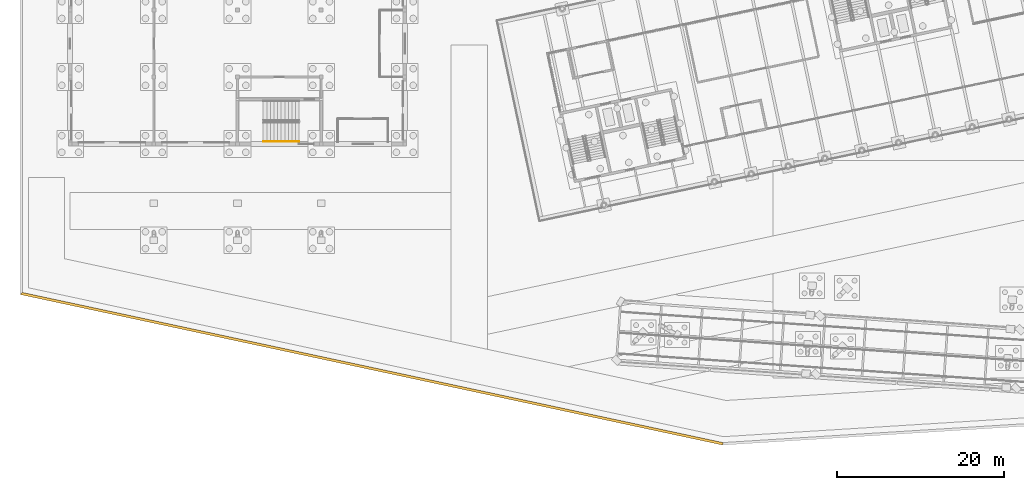
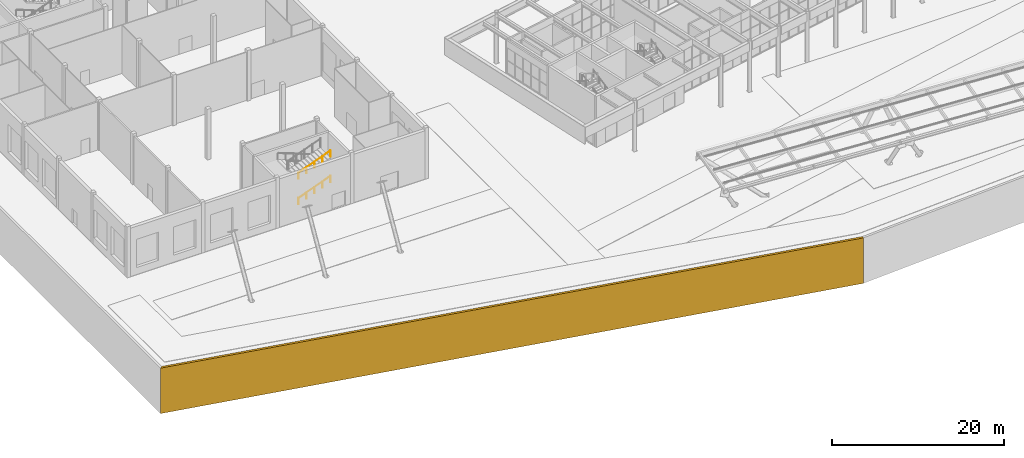
# One storey, part 201 of 239: 2 railings, 1 covering.
"""IFC4 building model written with IfcOpenShell, lengths in metres."""

from ifc_helpers import new_model, si_unit, direction, frame, origin, origin_2d, place, context, subcontext, project, spatial, polyline, circle, outline, extrude, material, layer, layer_set, type_object, element, save


model = new_model("IFC4")

# Units and contexts
model_context = context("Model", 3, precision=1e-05, world=origin(), true_north=direction((0.0, 1.0)))
body_context = subcontext(model_context, "Body", "Model", "MODEL_VIEW")
ifc_project = project(units=[si_unit("LENGTHUNIT", "METRE"), si_unit("AREAUNIT", "SQUARE_METRE"), si_unit("VOLUMEUNIT", "CUBIC_METRE"), si_unit("PLANEANGLEUNIT", "RADIAN"), si_unit("MASSUNIT", "GRAM", prefix="KILO")], contexts=[model_context])

# Site, building, storey
site_placement = place(None, origin())
site = spatial("IfcSite", under=ifc_project, at=site_placement, CompositionType="ELEMENT")
building_placement = place(site_placement, origin())
building = spatial("IfcBuilding", under=site, at=building_placement, Name="Okhra Congress Centre", CompositionType="ELEMENT")
storey_placement = place(building_placement, origin())
storey = spatial("IfcBuildingStorey", under=building, at=storey_placement, Name="L00", CompositionType="ELEMENT", Elevation=0.0)

# Covering
ifc_material_1 = material(Name="Compacted engineered fill face with geotextile and turf")
ifc_layer = layer(ifc_material_1, 0.300048828125)
ifc_layer_set = layer_set([ifc_layer], Name="Site ground edge (engineered fill face)")
covering_type = type_object("IfcCoveringType", Name="Site ground edge (engineered fill face)", PredefinedType="USERDEFINED", material=ifc_layer_set)
covering_placement = place(storey_placement, frame((0.0, 0.0, -6.5)))
element("IfcCovering", 1, at=covering_placement, inside=storey, type_object=covering_type, Name="Site ground edge (engineered fill face) 2", ObjectType="Site ground edge (engineered fill face)", PredefinedType="USERDEFINED", context=body_context, shape_type="SweptSolid", body=[
    extrude(outline(polyline([(0.0, 18.0), (84.0, 0.0), (84.0224609375, 0.302001953125), (0.300048828125, 18.242431640625), (0.0, 18.0)])), origin(), (0.0, 0.0, 1.0), 6.449951171875),
])

# Railings
ifc_material_2 = material(Name="Painted steel tube handrail on wall brackets", Category="steel")
railing_type = type_object("IfcRailingType", Name="Steel handrail 900", PredefinedType="HANDRAIL", material=ifc_material_2)
railing_1_placement = place(storey_placement, frame((29.074951171875, 36.27490234375, 1.963623046875)))
element("IfcRailing", 2, at=railing_1_placement, inside=storey, type_object=railing_type, Name="L00 R4 stair handrail 2", PredefinedType="HANDRAIL", context=body_context, shape_type="SweptSolid", body=[
    extrude(circle(Radius=0.02392578125, at=origin_2d()), frame((0.0, 0.0, 0.8759765625), z_axis=(0.934606208977, 0.0, 0.355684177526), x_axis=(0.0, 1.0, 0.0)), (0.0, 0.0, 1.0), 4.600830078125),
    extrude(circle(Radius=0.02099609375, at=origin_2d()), origin(), (0.0, 0.0, 1.0), 0.851806640625),
    extrude(circle(Radius=0.02099609375, at=origin_2d()), frame((1.074951171875, 0.0, 0.4091796875)), (0.0, 0.0, 1.0), 0.851806640625),
    extrude(circle(Radius=0.02099609375, at=origin_2d()), frame((2.14990234375, 0.0, 0.818359375)), (0.0, 0.0, 1.0), 0.851806640625),
    extrude(circle(Radius=0.02099609375, at=origin_2d()), frame((3.22509765625, 0.0, 1.227294921875)), (0.0, 0.0, 1.0), 0.851806640625),
    extrude(circle(Radius=0.02099609375, at=origin_2d()), frame((4.300048828125, 0.0, 1.636474609375)), (0.0, 0.0, 1.0), 0.851806640625),
])
railing_2_placement = place(storey_placement, frame((29.074951171875, 36.27490234375, 5.563720703125)))
element("IfcRailing", 3, at=railing_2_placement, inside=storey, type_object=railing_type, Name="L00 R4 stair handrail 4", PredefinedType="HANDRAIL", context=body_context, shape_type="SweptSolid", body=[
    extrude(circle(Radius=0.02392578125, at=origin_2d()), frame((0.0, 0.0, 0.8759765625), z_axis=(0.934623847752, 0.0, 0.355637825903), x_axis=(0.0, 1.0, 0.0)), (0.0, 0.0, 1.0), 4.600830078125),
    extrude(circle(Radius=0.02099609375, at=origin_2d()), origin(), (0.0, 0.0, 1.0), 0.851806640625),
    extrude(circle(Radius=0.02099609375, at=origin_2d()), frame((1.074951171875, 0.0, 0.4091796875)), (0.0, 0.0, 1.0), 0.851806640625),
    extrude(circle(Radius=0.02099609375, at=origin_2d()), frame((2.14990234375, 0.0, 0.818115234375)), (0.0, 0.0, 1.0), 0.851806640625),
    extrude(circle(Radius=0.02099609375, at=origin_2d()), frame((3.22509765625, 0.0, 1.22705078125)), (0.0, 0.0, 1.0), 0.851806640625),
    extrude(circle(Radius=0.02099609375, at=origin_2d()), frame((4.300048828125, 0.0, 1.63623046875)), (0.0, 0.0, 1.0), 0.851806640625),
])

save(model, "model.ifc")
